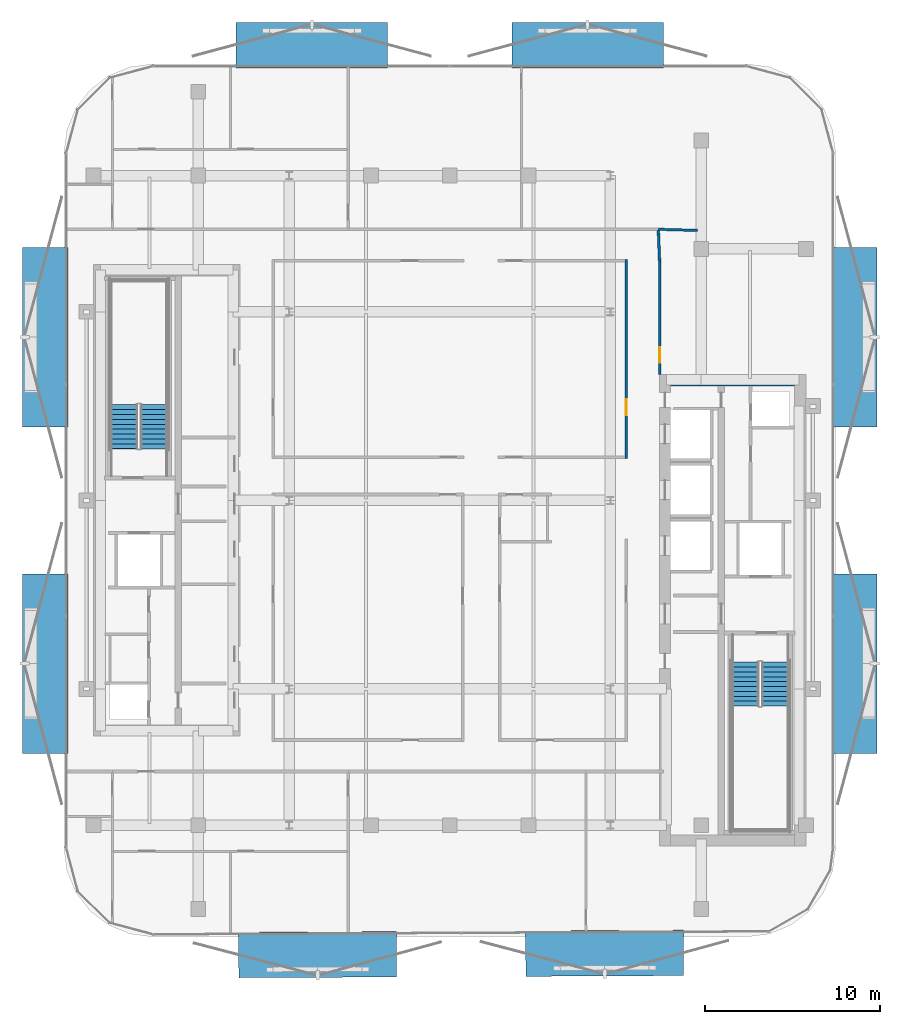
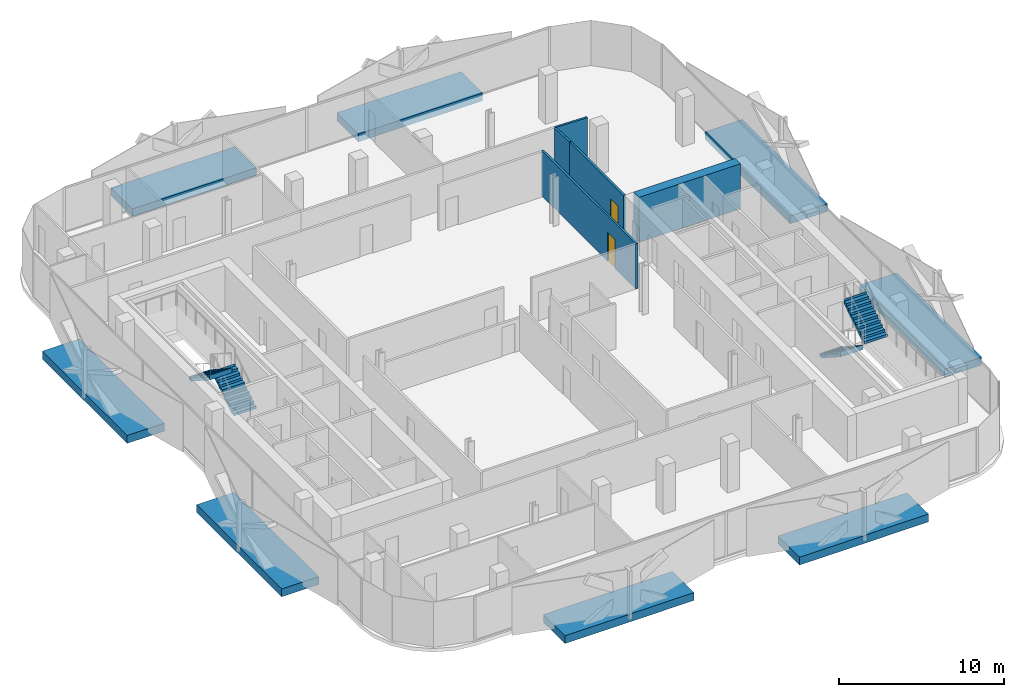
# One storey, part 6 of 14: 8 discrete accessories, 5 walls, 4 stair flights, 2 doors, 2 openings, 2 elements without a shape of their own.
"""IFC4 building model written with IfcOpenShell, lengths in metres."""

from ifc_helpers import new_model, si_unit, direction, frame, frame_2d, origin, origin_2d, place, context, subcontext, project, spatial, polyline, rectangle, outline, extrude, material, layer, layer_set, type_object, element, fill, aggregate, save


model = new_model("IFC4")

# Units and contexts
model_context = context("Model", 3, precision=1e-05, world=origin(), true_north=direction((0.0, 1.0)))
body_context = subcontext(model_context, "Body", "Model", "MODEL_VIEW")
ifc_project = project(units=[si_unit("LENGTHUNIT", "METRE"), si_unit("AREAUNIT", "SQUARE_METRE"), si_unit("VOLUMEUNIT", "CUBIC_METRE"), si_unit("PLANEANGLEUNIT", "RADIAN"), si_unit("MASSUNIT", "GRAM", prefix="KILO")], contexts=[model_context])

# Site, building, storey
site_placement = place(None, origin())
site = spatial("IfcSite", under=ifc_project, at=site_placement, CompositionType="ELEMENT")
building_placement = place(site_placement, origin())
building = spatial("IfcBuilding", under=site, at=building_placement, Name="Khairoan Windgate Tower", CompositionType="ELEMENT")
storey_placement = place(building_placement, frame((0.0, 0.0, 236.800048828125)))
storey = spatial("IfcBuildingStorey", under=building, at=storey_placement, Name="L55", CompositionType="ELEMENT", Elevation=236.800048828125)

# Wall
ifc_material_1 = material(Name="Acoustic Fire-Rated Gypsum Partition", Category="gypsum")
ifc_layer_1 = layer(ifc_material_1, 0.139892578125, Name="Acoustic Fire-Rated Gypsum Partition")
ifc_layer_set_1 = layer_set([ifc_layer_1], Name="Acoustic Fire-Rated Gypsum Partition")
wall_type_1 = type_object("IfcWallType", Name="Inter-Tenancy Compartment Wall", PredefinedType="PARTITIONING", material=ifc_layer_set_1)
wall_1_placement = place(storey_placement, frame((11.93994140625, 15.52490234375, 0.0), z_axis=(0.0, 0.0, 1.0), x_axis=(0.99958000177, -0.028979649098, 0.0)))
element("IfcWall", 1, at=wall_1_placement, inside=storey, type_object=wall_type_1, Name="L55 Interior Partition 045", PredefinedType="PARTITIONING", context=body_context, shape_type="SweptSolid", body=[
    extrude(rectangle(XDim=2.240966796875, YDim=0.139892578125, at=frame_2d((1.12060546875, 0.0))), origin(), (0.0, 0.0, 1.0), 3.33984375),
])

# Wall, opening, door
ifc_material_2 = material(Name="Acoustic Fire-Rated Gypsum Partition", Category="gypsum")
ifc_layer_2 = layer(ifc_material_2, 0.14990234375, Name="Acoustic Fire-Rated Gypsum Partition")
ifc_layer_set_2 = layer_set([ifc_layer_2], Name="Acoustic Fire-Rated Gypsum Partition")
wall_type_2 = type_object("IfcWallType", Name="Rated Corridor Partition Wall", PredefinedType="PARTITIONING", material=ifc_layer_set_2)
wall_2_placement = place(storey_placement, frame((12.014892578125, 7.199951171875, 0.0), z_axis=(0.0, 0.0, 1.0), x_axis=(0.0, 1.0, 0.0)))
wall_2 = element("IfcWall", 2, at=wall_2_placement, inside=storey, type_object=wall_type_2, Name="L55 Interior Partition 013", PredefinedType="PARTITIONING", context=body_context, shape_type="SweptSolid", body=[
    extrude(rectangle(XDim=6.52001953125, YDim=0.14990234375, at=frame_2d((3.260009765625, 0.0))), origin(), (0.0, 0.0, 1.0), 3.33984375),
])
opening_1_placement = place(wall_2_placement, frame((0.669921875, 0.0, 0.0)))
opening_1 = element("IfcOpeningElement", 3, at=opening_1_placement, cuts=wall_2, Name="Opening FD-ENT", PredefinedType="OPENING", context=body_context, shape_type="SweptSolid", body=[
    extrude(rectangle(XDim=0.89990234375, YDim=2.14990234375, at=frame_2d((0.449951171875, 1.074951171875))), frame((0.0, 0.0849609375, 0.0), z_axis=(0.0, -1.0, 0.0), x_axis=(1.0, 0.0, 0.0)), (0.0, 0.0, 1.0), 0.169921875),
])
ifc_material_3 = material(Name="Timber Fire-Rated Core", Category="wood")
door_type = type_object("IfcDoorType", Name="Unit and Office Fire Entrance Door FD-ENT 900x2150", OperationType="NOTDEFINED", PredefinedType="DOOR", material=ifc_material_3)
door_1_placement = place(opening_1_placement, origin())
door_1 = element("IfcDoor", 4, at=door_1_placement, inside=storey, type_object=door_type, Name="L55 L55-27-L55-46 Door", OperationType="SINGLE_SWING_LEFT", OverallHeight=2.14990234375, OverallWidth=0.89990234375, PredefinedType="DOOR", context=body_context, shape_type="SweptSolid", body=[
    extrude(rectangle(XDim=0.89990234375, YDim=2.14990234375, at=frame_2d((0.449951171875, 1.074951171875))), frame((0.0, 0.02490234375, 0.0), z_axis=(0.0, -1.0, 0.0), x_axis=(1.0, 0.0, 0.0)), (0.0, 0.0, 1.0), 0.050048828125),
])
fill(opening_1, door_1)

wall_3_placement = place(storey_placement, frame((10.10009765625, 2.389892578125, 0.0), z_axis=(0.0, 0.0, 1.0), x_axis=(0.0, 1.0, 0.0)))
wall_3 = element("IfcWall", 5, at=wall_3_placement, inside=storey, type_object=wall_type_2, Name="L55 Interior Partition 014", PredefinedType="PARTITIONING", context=body_context, shape_type="SweptSolid", body=[
    extrude(rectangle(XDim=11.405029296875, YDim=0.14990234375, at=frame_2d((5.70263671875, 0.0))), origin(), (0.0, 0.0, 1.0), 3.33984375),
])
opening_2_placement = place(wall_3_placement, frame((2.49951171875, 0.0, 0.0)))
opening_2 = element("IfcOpeningElement", 6, at=opening_2_placement, cuts=wall_3, Name="Opening FD-ENT", PredefinedType="OPENING", context=body_context, shape_type="SweptSolid", body=[
    extrude(rectangle(XDim=0.89990234375, YDim=2.14990234375, at=frame_2d((0.449951171875, 1.074951171875))), frame((0.0, 0.0849609375, 0.0), z_axis=(0.0, -1.0, 0.0), x_axis=(1.0, 0.0, 0.0)), (0.0, 0.0, 1.0), 0.169921875),
])
door_2_placement = place(opening_2_placement, origin())
door_2 = element("IfcDoor", 7, at=door_2_placement, inside=storey, type_object=door_type, Name="L55 L55-27-L55-49 Door", OperationType="SINGLE_SWING_RIGHT", OverallHeight=2.14990234375, OverallWidth=0.89990234375, PredefinedType="DOOR", context=body_context, shape_type="SweptSolid", body=[
    extrude(rectangle(XDim=0.89990234375, YDim=2.14990234375, at=frame_2d((0.449951171875, 1.074951171875))), frame((0.0, 0.02490234375, 0.0), z_axis=(0.0, -1.0, 0.0), x_axis=(1.0, 0.0, 0.0)), (0.0, 0.0, 1.0), 0.050048828125),
])
fill(opening_2, door_2)

# Walls
wall_4_placement = place(storey_placement, frame((12.014892578125, 13.719970703125, 0.0), z_axis=(0.0, 0.0, 1.0), x_axis=(-0.040046877756, 0.99919780203, 0.0)))
element("IfcWall", 8, at=wall_4_placement, inside=storey, type_object=wall_type_2, Name="L55 Interior Partition 027", PredefinedType="PARTITIONING", context=body_context, shape_type="SweptSolid", body=[
    extrude(rectangle(XDim=1.7314453125, YDim=0.14990234375, at=frame_2d((0.86572265625, 0.0))), origin(), (0.0, 0.0, 1.0), 3.33984375),
])
ifc_material_4 = material(Name="Concrete C60/75", Category="concrete")
ifc_layer_3 = layer(ifc_material_4, 0.64990234375, Name="Concrete C60/75")
ifc_layer_set_3 = layer_set([ifc_layer_3], Name="Concrete C60/75")
wall_type_3 = type_object("IfcWallType", Name="Shear Wall CW-E2 650mm", PredefinedType="SHEAR", material=ifc_layer_set_3)
wall_5_placement = place(storey_placement, frame((12.64990234375, 6.875, 0.0), z_axis=(0.0, 0.0, 1.0), x_axis=(1.0, 0.0, 0.0)))
element("IfcWall", 9, at=wall_5_placement, inside=storey, type_object=wall_type_3, Name="E Core North Shear Wall L55", PredefinedType="SHEAR", context=body_context, shape_type="SweptSolid", body=[
    extrude(rectangle(XDim=7.10009765625, YDim=0.64990234375, at=frame_2d((3.550048828125, 0.0))), origin(), (0.0, 0.0, 1.0), 3.33984375),
])

# Stair, stair flights
ifc_material_5 = material(Name="Concrete C40/50", Category="concrete")
stair_type = type_object("IfcStairType", Name="Tower Core Dog-Leg Stair ST-T1 1560mm", PredefinedType="HALF_TURN_STAIR", material=ifc_material_5)
stair_1_placement = place(storey_placement, origin())
stair_1 = element("IfcStair", 10, at=stair_1_placement, inside=storey, type_object=stair_type, Name="L55 Stair ST1", PredefinedType="HALF_TURN_STAIR")
ifc_material_6 = material(Name="Concrete C40/50", Category="concrete")
ifc_layer_4 = layer(ifc_material_6, 0.14990234375, Name="Concrete C40/50")
ifc_layer_set_4 = layer_set([ifc_layer_4], Name="Concrete C40/50")
stair_flight_type = type_object("IfcStairFlightType", Name="Tower Core Stair Flight STF-1560", PredefinedType="STRAIGHT", material=ifc_layer_set_4)
stair_flight_1_placement = place(storey_placement, frame((16.929931640625, -9.260009765625, 0.0), z_axis=(0.0, 0.0, 1.0), x_axis=(0.0, -1.0, 0.0)))
stair_flight_1 = element("IfcStairFlight", 11, at=stair_flight_1_placement, type_object=stair_flight_type, Name="ST1 flight 1", NumberOfRisers=10, NumberOfTreads=9, PredefinedType="STRAIGHT", RiserHeight=0.18, TreadLength=0.28, context=body_context, shape_type="SweptSolid", body=[
    extrude(outline(polyline([(-0.00390625, 0.0), (-0.00390625, 0.179931640625), (0.0, 0.179931640625), (0.280029296875, 0.179931640625), (0.280029296875, 0.360107421875), (0.56005859375, 0.360107421875), (0.56005859375, 0.5400390625), (0.840087890625, 0.5400390625), (0.840087890625, 0.719970703125), (1.1201171875, 0.719970703125), (1.1201171875, 0.89990234375), (1.39990234375, 0.89990234375), (1.39990234375, 1.080078125), (1.679931640625, 1.080078125), (1.679931640625, 1.260009765625), (1.9599609375, 1.260009765625), (1.9599609375, 1.43994140625), (2.239990234375, 1.43994140625), (2.239990234375, 1.6201171875), (2.52001953125, 1.6201171875), (2.52001953125, 1.800048828125), (2.52392578125, 1.800048828125), (2.52392578125, 1.44189453125), (0.277099609375, 0.0), (-0.00390625, 0.0)])), frame((0.0, 0.780029296875, 0.0), z_axis=(0.0, -1.0, 0.0), x_axis=(1.0, 0.0, 0.0)), (0.0, 0.0, 1.0), 1.56005859375),
])
stair_flight_2_placement = place(storey_placement, frame((18.639892578125, -11.780029296875, 1.800048828125), z_axis=(0.0, 0.0, 1.0), x_axis=(0.0, 1.0, 0.0)))
stair_flight_2 = element("IfcStairFlight", 12, at=stair_flight_2_placement, type_object=stair_flight_type, Name="ST1 flight 2", NumberOfRisers=10, NumberOfTreads=9, PredefinedType="STRAIGHT", RiserHeight=0.18, TreadLength=0.28, context=body_context, shape_type="SweptSolid", body=[
    extrude(outline(polyline([(-0.00390625, 0.0), (-0.00390625, 0.179931640625), (0.0, 0.179931640625), (0.280029296875, 0.179931640625), (0.280029296875, 0.360107421875), (0.56005859375, 0.360107421875), (0.56005859375, 0.5400390625), (0.840087890625, 0.5400390625), (0.840087890625, 0.719970703125), (1.1201171875, 0.719970703125), (1.1201171875, 0.89990234375), (1.39990234375, 0.89990234375), (1.39990234375, 1.080078125), (1.679931640625, 1.080078125), (1.679931640625, 1.260009765625), (1.9599609375, 1.260009765625), (1.9599609375, 1.43994140625), (2.239990234375, 1.43994140625), (2.239990234375, 1.6201171875), (2.52001953125, 1.6201171875), (2.52001953125, 1.800048828125), (2.52392578125, 1.800048828125), (2.52392578125, 1.44189453125), (0.277099609375, 0.0), (-0.00390625, 0.0)])), frame((0.0, 0.780029296875, 0.0), z_axis=(0.0, -1.0, 0.0), x_axis=(1.0, 0.0, 0.0)), (0.0, 0.0, 1.0), 1.56005859375),
])
aggregate(stair_1, [stair_flight_1, stair_flight_2])

stair_2_placement = place(storey_placement, origin())
stair_2 = element("IfcStair", 13, at=stair_2_placement, inside=storey, type_object=stair_type, Name="L55 Stair ST2", PredefinedType="HALF_TURN_STAIR")
stair_flight_3_placement = place(storey_placement, frame((-16.929931640625, 2.9599609375, 0.0), z_axis=(0.0, 0.0, 1.0), x_axis=(0.0, 1.0, 0.0)))
stair_flight_3 = element("IfcStairFlight", 14, at=stair_flight_3_placement, type_object=stair_flight_type, Name="ST2 flight 1", NumberOfRisers=10, NumberOfTreads=9, PredefinedType="STRAIGHT", RiserHeight=0.18, TreadLength=0.28, context=body_context, shape_type="SweptSolid", body=[
    extrude(outline(polyline([(-0.00390625, 0.0), (-0.00390625, 0.179931640625), (0.0, 0.179931640625), (0.280029296875, 0.179931640625), (0.280029296875, 0.360107421875), (0.56005859375, 0.360107421875), (0.56005859375, 0.5400390625), (0.840087890625, 0.5400390625), (0.840087890625, 0.719970703125), (1.1201171875, 0.719970703125), (1.1201171875, 0.89990234375), (1.39990234375, 0.89990234375), (1.39990234375, 1.080078125), (1.679931640625, 1.080078125), (1.679931640625, 1.260009765625), (1.9599609375, 1.260009765625), (1.9599609375, 1.43994140625), (2.239990234375, 1.43994140625), (2.239990234375, 1.6201171875), (2.52001953125, 1.6201171875), (2.52001953125, 1.800048828125), (2.52392578125, 1.800048828125), (2.52392578125, 1.44189453125), (0.277099609375, 0.0), (-0.00390625, 0.0)])), frame((0.0, 0.780029296875, 0.0), z_axis=(0.0, -1.0, 0.0), x_axis=(1.0, 0.0, 0.0)), (0.0, 0.0, 1.0), 1.56005859375),
])
stair_flight_4_placement = place(storey_placement, frame((-18.639892578125, 5.47998046875, 1.800048828125), z_axis=(0.0, 0.0, 1.0), x_axis=(0.0, -1.0, 0.0)))
stair_flight_4 = element("IfcStairFlight", 15, at=stair_flight_4_placement, type_object=stair_flight_type, Name="ST2 flight 2", NumberOfRisers=10, NumberOfTreads=9, PredefinedType="STRAIGHT", RiserHeight=0.18, TreadLength=0.28, context=body_context, shape_type="SweptSolid", body=[
    extrude(outline(polyline([(-0.00390625, 0.0), (-0.00390625, 0.179931640625), (0.0, 0.179931640625), (0.280029296875, 0.179931640625), (0.280029296875, 0.360107421875), (0.56005859375, 0.360107421875), (0.56005859375, 0.5400390625), (0.840087890625, 0.5400390625), (0.840087890625, 0.719970703125), (1.1201171875, 0.719970703125), (1.1201171875, 0.89990234375), (1.39990234375, 0.89990234375), (1.39990234375, 1.080078125), (1.679931640625, 1.080078125), (1.679931640625, 1.260009765625), (1.9599609375, 1.260009765625), (1.9599609375, 1.43994140625), (2.239990234375, 1.43994140625), (2.239990234375, 1.6201171875), (2.52001953125, 1.6201171875), (2.52001953125, 1.800048828125), (2.52392578125, 1.800048828125), (2.52392578125, 1.44189453125), (0.277099609375, 0.0), (-0.00390625, 0.0)])), frame((0.0, 0.780029296875, 0.0), z_axis=(0.0, -1.0, 0.0), x_axis=(1.0, 0.0, 0.0)), (0.0, 0.0, 1.0), 1.56005859375),
])
aggregate(stair_2, [stair_flight_3, stair_flight_4])

# Discrete accessories
ifc_material_7 = material(Name="Steel S355", Category="steel")
discrete_accessory_type = type_object("IfcDiscreteAccessoryType", Name="Solar Screen Outrigger Slab Bracket SSB-1", PredefinedType="BRACKET", material=ifc_material_7)
for number, where, z_axis, x_axis, name in (
    (16, (8.87060546875, -25.935302734375, -0.420166015625), (0.0, 0.0, 1.0), (-0.999988059021, -0.004886902454, 0.0), "L55 Solar Screen Outrigger Bracket 369"),
    (17, (-7.56640625, -26.014404296875, -0.420166015625), (0.0, 0.0, 1.0), (-0.999988059021, -0.004886902454, 0.0), "L55 Solar Screen Outrigger Bracket 370"),
):
    element("IfcDiscreteAccessory", number, at=place(storey_placement, frame(where, z_axis=z_axis, x_axis=x_axis)), inside=storey, type_object=discrete_accessory_type, Name=name, PredefinedType="BRACKET", context=body_context, shape_type="SweptSolid", body=[
        extrude(rectangle(XDim=9.041015625, YDim=2.60009765625, at=origin_2d()), origin(), (0.0, 0.0, 1.0), 0.580078125),
    ])
for number, where, z_axis, x_axis, name in (
    (18, (-23.159912109375, -9.345458984375, -0.420166015625), (0.0, 0.0, 1.0), (0.0, 1.0, 0.0), "L55 Solar Screen Outrigger Bracket 371"),
    (19, (-23.159912109375, 9.345458984375, -0.420166015625), (0.0, 0.0, 1.0), (0.0, 1.0, 0.0), "L55 Solar Screen Outrigger Bracket 372"),
):
    element("IfcDiscreteAccessory", number, at=place(storey_placement, frame(where, z_axis=z_axis, x_axis=x_axis)), inside=storey, type_object=discrete_accessory_type, Name=name, PredefinedType="BRACKET", context=body_context, shape_type="SweptSolid", body=[
        extrude(rectangle(XDim=10.280029296875, YDim=2.60009765625, at=origin_2d()), origin(), (0.0, 0.0, 1.0), 0.580078125),
    ])
for number, where, z_axis, x_axis, name in (
    (20, (-7.8955078125, 26.06005859375, -0.420166015625), (0.0, 0.0, 1.0), (1.0, 0.0, 0.0), "L55 Solar Screen Outrigger Bracket 373"),
    (21, (7.8955078125, 26.06005859375, -0.420166015625), (0.0, 0.0, 1.0), (1.0, 0.0, 0.0), "L55 Solar Screen Outrigger Bracket 374"),
):
    element("IfcDiscreteAccessory", number, at=place(storey_placement, frame(where, z_axis=z_axis, x_axis=x_axis)), inside=storey, type_object=discrete_accessory_type, Name=name, PredefinedType="BRACKET", context=body_context, shape_type="SweptSolid", body=[
        extrude(rectangle(XDim=8.68505859375, YDim=2.60009765625, at=origin_2d()), origin(), (0.0, 0.0, 1.0), 0.580078125),
    ])
for number, where, z_axis, x_axis, name in (
    (22, (23.159912109375, 9.345458984375, -0.420166015625), (0.0, 0.0, 1.0), (0.0, -1.0, 0.0), "L55 Solar Screen Outrigger Bracket 375"),
    (23, (23.159912109375, -9.345458984375, -0.420166015625), (0.0, 0.0, 1.0), (0.0, -1.0, 0.0), "L55 Solar Screen Outrigger Bracket 376"),
):
    element("IfcDiscreteAccessory", number, at=place(storey_placement, frame(where, z_axis=z_axis, x_axis=x_axis)), inside=storey, type_object=discrete_accessory_type, Name=name, PredefinedType="BRACKET", context=body_context, shape_type="SweptSolid", body=[
        extrude(rectangle(XDim=10.280029296875, YDim=2.60009765625, at=origin_2d()), origin(), (0.0, 0.0, 1.0), 0.580078125),
    ])

save(model, "model.ifc")
